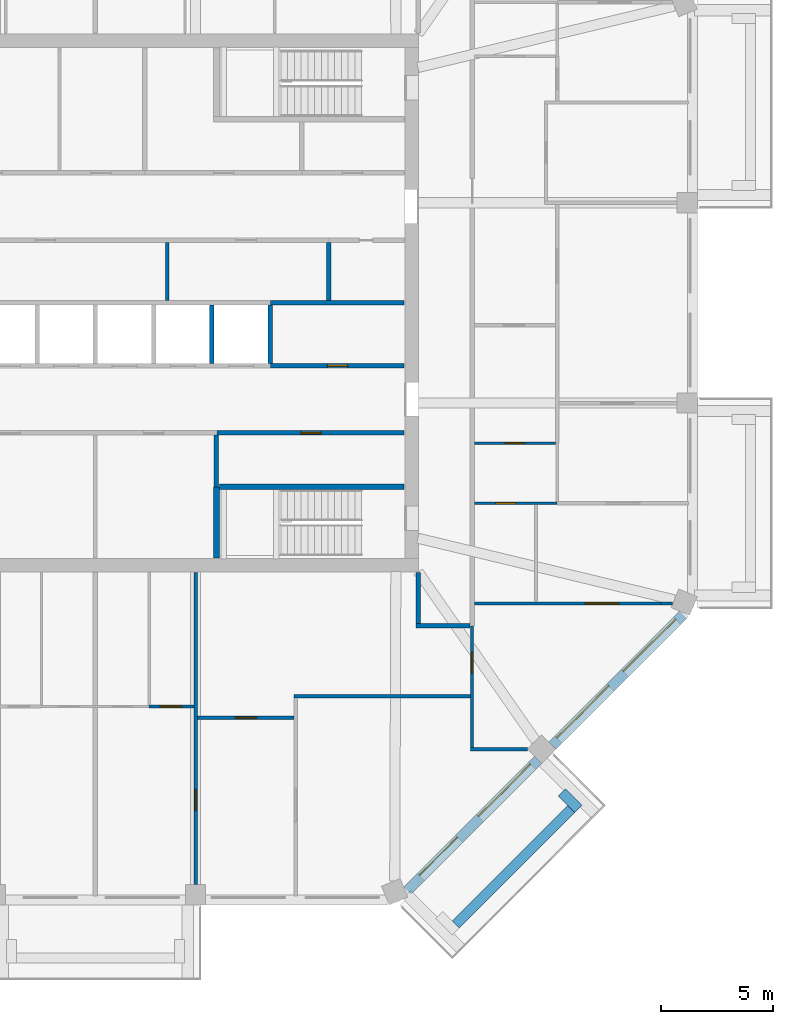
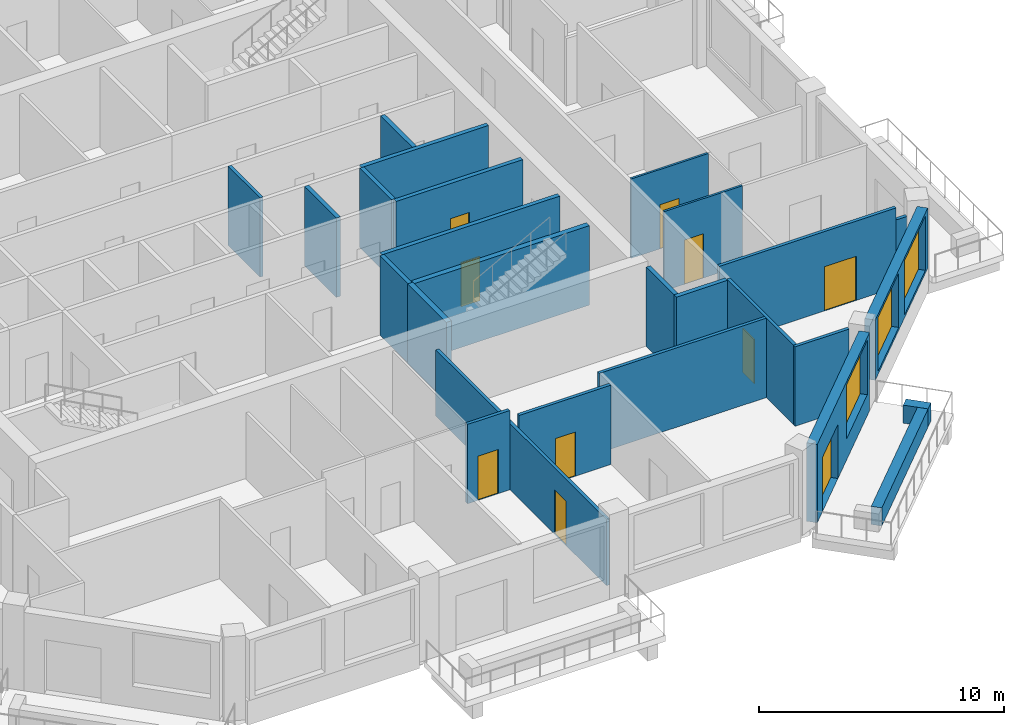
# One storey, part 5 of 12: 26 walls, 10 doors, 3 windows, 13 openings.
"""IFC4 building model written with IfcOpenShell, lengths in metres."""

from ifc_helpers import new_model, si_unit, direction, frame, frame_2d, origin, place, context, subcontext, project, spatial, rectangle, extrude, material, layer, layer_set, type_object, element, fill, save


model = new_model("IFC4")

# Units and contexts
model_context = context("Model", 3, precision=1e-05, world=origin(), true_north=direction((0.0, 1.0)))
body_context = subcontext(model_context, "Body", "Model", "MODEL_VIEW")
ifc_project = project(units=[si_unit("LENGTHUNIT", "METRE"), si_unit("AREAUNIT", "SQUARE_METRE"), si_unit("VOLUMEUNIT", "CUBIC_METRE"), si_unit("PLANEANGLEUNIT", "RADIAN"), si_unit("MASSUNIT", "GRAM", prefix="KILO")], contexts=[model_context])

# Site, building, storey
site_placement = place(None, origin())
site = spatial("IfcSite", under=ifc_project, at=site_placement, CompositionType="ELEMENT")
building_placement = place(site_placement, origin())
building = spatial("IfcBuilding", under=site, at=building_placement, Name="Msitu Wima Residences", CompositionType="ELEMENT")
storey_placement = place(building_placement, frame((0.0, 0.0, 243.300048828125)))
storey = spatial("IfcBuildingStorey", under=building, at=storey_placement, Name="L56", CompositionType="ELEMENT", Elevation=243.300048828125)

# Walls
ifc_material_1 = material(Name="Facing brick")
ifc_layer_1 = layer(ifc_material_1, 0.06494140625, Name="Facing brick")
ifc_material_2 = material(Name="Concrete C40/50", Category="concrete")
ifc_layer_2 = layer(ifc_material_2, 0.156005859375, Name="Concrete C40/50")
ifc_material_3 = material(Name="Waterproofing membrane")
ifc_layer_3 = layer(ifc_material_3, 0.00390625, Name="Waterproofing membrane")
ifc_material_4 = material(Name="Planting soil and planting")
ifc_layer_4 = layer(ifc_material_4, 0.22509765625, Name="Planting soil and planting")
ifc_layer_set_1 = layer_set([ifc_layer_1, ifc_layer_2, ifc_layer_3, ifc_layer_4], Name="Concrete C40/50")
wall_type_1 = type_object("IfcWallType", Name="Balcony planter PLANTER PL450", PredefinedType="USERDEFINED", material=ifc_layer_set_1)
wall_1_placement = place(storey_placement, frame((16.0751953125, -27.725830078125, 0.0), z_axis=(0.0, 0.0, 1.0), x_axis=(0.707106781187, 0.707106781187, 0.0)))
element("IfcWall", 1, at=wall_1_placement, inside=storey, type_object=wall_type_1, Name="Balcony planter SE0 L56", ObjectType="PLANTER", PredefinedType="USERDEFINED", context=body_context, shape_type="SweptSolid", body=[
    extrude(rectangle(XDim=7.288330078125, YDim=0.449951171875, at=frame_2d((3.64404296875, 0.0))), origin(), (0.0, 0.0, 1.0), 0.89990234375),
])
wall_2_placement = place(storey_placement, frame((20.804443359375, -21.829833984375, 0.0), z_axis=(0.0, 0.0, 1.0), x_axis=(0.707106781187, -0.707106781187, 0.0)))
element("IfcWall", 2, at=wall_2_placement, inside=storey, type_object=wall_type_1, Name="Balcony planter SE0 L56", ObjectType="PLANTER", PredefinedType="USERDEFINED", context=body_context, shape_type="SweptSolid", body=[
    extrude(rectangle(XDim=1.050048828125, YDim=0.449951171875, at=frame_2d((0.52490234375, 0.0))), origin(), (0.0, 0.0, 1.0), 0.89990234375),
])

# Wall, openings, door, window
ifc_material_5 = material(Name="Brick (red buff mix)", Category="masonry")
ifc_layer_5 = layer(ifc_material_5, 0.449951171875)
ifc_layer_set_2 = layer_set([ifc_layer_5], Name="Brick (red buff mix)")
wall_type_2 = type_object("IfcWallType", Name="Brick infill wall BW450", PredefinedType="SOLIDWALL", material=ifc_layer_set_2)
wall_3_placement = place(storey_placement, frame((13.909423828125, -26.214599609375, 0.0), z_axis=(0.0, 0.0, 1.0), x_axis=(0.707106781187, 0.707106781187, 0.0)))
wall_3 = element("IfcWall", 3, at=wall_3_placement, inside=storey, type_object=wall_type_2, Name="Brick infill wall L56 SE0", PredefinedType="SOLIDWALL", context=body_context, shape_type="SweptSolid", body=[
    extrude(rectangle(XDim=8.251220703125, YDim=0.449951171875, at=frame_2d((4.12548828125, 0.0))), origin(), (0.0, 0.0, 1.0), 3.89990234375),
])
opening_1_placement = place(wall_3_placement, frame((0.86279296875, 0.0, 0.0)))
opening_1 = element("IfcOpeningElement", 4, at=opening_1_placement, cuts=wall_3, Name="Opening D55-56.007", PredefinedType="OPENING", context=body_context, shape_type="SweptSolid", body=[
    extrude(rectangle(XDim=2.39990234375, YDim=2.699951171875, at=frame_2d((1.199951171875, 1.35009765625))), frame((0.0, 0.23486328125, 0.0), z_axis=(0.0, -1.0, 0.0), x_axis=(1.0, 0.0, 0.0)), (0.0, 0.0, 1.0), 0.469970703125),
])
opening_2_placement = place(wall_3_placement, frame((4.57568359375, 0.0, 1.050048828125)))
opening_2 = element("IfcOpeningElement", 5, at=opening_2_placement, cuts=wall_3, Name="Opening W55-56.021", PredefinedType="OPENING", context=body_context, shape_type="SweptSolid", body=[
    extrude(rectangle(XDim=3.300048828125, YDim=2.699951171875, at=frame_2d((1.64990234375, 1.35009765625))), frame((0.0, 0.23486328125, 0.0), z_axis=(0.0, -1.0, 0.0), x_axis=(1.0, 0.0, 0.0)), (0.0, 0.0, 1.0), 0.469970703125),
])
ifc_material_6 = material(Name="Anodised aluminium, bronze finish, clear low-emissivity double glazing", Category="aluminium")
door_type_1 = type_object("IfcDoorType", Name="Balcony door D2400x2700", OperationType="SLIDING_TO_LEFT", PredefinedType="DOOR", material=ifc_material_6)
door_1_placement = place(opening_1_placement, origin())
door_1 = element("IfcDoor", 6, at=door_1_placement, inside=storey, type_object=door_type_1, Name="Balcony door L56 SE0", OperationType="SINGLE_SWING_LEFT", OverallHeight=2.699951171875, OverallWidth=2.39990234375, PredefinedType="DOOR", context=body_context, shape_type="SweptSolid", body=[
    extrude(rectangle(XDim=2.39990234375, YDim=2.699951171875, at=frame_2d((1.199951171875, 1.35009765625))), frame((0.0, 0.1298828125, 0.0), z_axis=(0.0, -1.0, 0.0), x_axis=(1.0, 0.0, 0.0)), (0.0, 0.0, 1.0), 0.050048828125),
])
fill(opening_1, door_1)
window_type = type_object("IfcWindowType", Name="Window W3300x2700", PartitioningType="DOUBLE_PANEL_VERTICAL", PredefinedType="WINDOW", material=ifc_material_6)
window_1_placement = place(opening_2_placement, origin())
window_1 = element("IfcWindow", 7, at=window_1_placement, inside=storey, type_object=window_type, Name="Window L56 SE0.2", OverallHeight=2.699951171875, OverallWidth=3.300048828125, PartitioningType="SINGLE_PANEL", PredefinedType="WINDOW", context=body_context, shape_type="SweptSolid", body=[
    extrude(rectangle(XDim=3.300048828125, YDim=2.699951171875, at=frame_2d((1.64990234375, 1.35009765625))), frame((0.0, 0.135009765625, 0.0), z_axis=(0.0, -1.0, 0.0), x_axis=(1.0, 0.0, 0.0)), (0.0, 0.0, 1.0), 0.06005859375),
])
fill(opening_2, window_1)

# Wall, openings, windows
wall_4_placement = place(storey_placement, frame((20.380126953125, -19.743896484375, 0.89990234375), z_axis=(0.0, 0.0, 1.0), x_axis=(0.707106781187, 0.707106781187, 0.0)))
wall_4 = element("IfcWall", 8, at=wall_4_placement, inside=storey, type_object=wall_type_2, Name="Brick infill wall L56 SE1", PredefinedType="SOLIDWALL", context=body_context, shape_type="SweptSolid", body=[
    extrude(rectangle(XDim=8.251220703125, YDim=0.449951171875, at=frame_2d((4.12548828125, 0.0))), origin(), (0.0, 0.0, 1.0), 3.0),
])
opening_3_placement = place(wall_4_placement, frame((0.37548828125, 0.0, 0.14990234375)))
opening_3 = element("IfcOpeningElement", 9, at=opening_3_placement, cuts=wall_4, Name="Opening W55-56.022", PredefinedType="OPENING", context=body_context, shape_type="SweptSolid", body=[
    extrude(rectangle(XDim=3.300048828125, YDim=2.699951171875, at=frame_2d((1.64990234375, 1.35009765625))), frame((0.0, 0.23486328125, 0.0), z_axis=(0.0, -1.0, 0.0), x_axis=(1.0, 0.0, 0.0)), (0.0, 0.0, 1.0), 0.469970703125),
])
opening_4_placement = place(wall_4_placement, frame((4.57568359375, 0.0, 0.14990234375)))
opening_4 = element("IfcOpeningElement", 10, at=opening_4_placement, cuts=wall_4, Name="Opening W55-56.023", PredefinedType="OPENING", context=body_context, shape_type="SweptSolid", body=[
    extrude(rectangle(XDim=3.300048828125, YDim=2.699951171875, at=frame_2d((1.64990234375, 1.35009765625))), frame((0.0, 0.23486328125, 0.0), z_axis=(0.0, -1.0, 0.0), x_axis=(1.0, 0.0, 0.0)), (0.0, 0.0, 1.0), 0.469970703125),
])
window_2_placement = place(opening_3_placement, origin())
window_2 = element("IfcWindow", 11, at=window_2_placement, inside=storey, type_object=window_type, Name="Window L56 SE1.1", OverallHeight=2.699951171875, OverallWidth=3.300048828125, PartitioningType="SINGLE_PANEL", PredefinedType="WINDOW", context=body_context, shape_type="SweptSolid", body=[
    extrude(rectangle(XDim=3.300048828125, YDim=2.699951171875, at=frame_2d((1.64990234375, 1.35009765625))), frame((0.0, 0.135009765625, 0.0), z_axis=(0.0, -1.0, 0.0), x_axis=(1.0, 0.0, 0.0)), (0.0, 0.0, 1.0), 0.06005859375),
])
fill(opening_3, window_2)
window_3_placement = place(opening_4_placement, origin())
window_3 = element("IfcWindow", 12, at=window_3_placement, inside=storey, type_object=window_type, Name="Window L56 SE1.2", OverallHeight=2.699951171875, OverallWidth=3.300048828125, PartitioningType="SINGLE_PANEL", PredefinedType="WINDOW", context=body_context, shape_type="SweptSolid", body=[
    extrude(rectangle(XDim=3.300048828125, YDim=2.699951171875, at=frame_2d((1.64990234375, 1.35009765625))), frame((0.0, 0.135009765625, 0.0), z_axis=(0.0, -1.0, 0.0), x_axis=(1.0, 0.0, 0.0)), (0.0, 0.0, 1.0), 0.06005859375),
])
fill(opening_4, window_3)

# Walls
ifc_material_7 = material(Name="Plaster")
ifc_layer_6 = layer(ifc_material_7, 0.011962890625, Name="Plaster")
ifc_material_8 = material(Name="Concrete blockwork", Category="masonry")
ifc_layer_7 = layer(ifc_material_8, 0.176025390625, Name="Concrete blockwork")
ifc_layer_8 = layer(ifc_material_7, 0.011962890625, Name="Plaster")
ifc_layer_set_3 = layer_set([ifc_layer_6, ifc_layer_7, ifc_layer_8], Name="Concrete blockwork")
wall_type_3 = type_object("IfcWallType", Name="Corridor wall FW200", PredefinedType="PARTITIONING", material=ifc_layer_set_3)
wall_5_placement = place(storey_placement, frame((14.39990234375, -14.300048828125, 0.0), z_axis=(0.0, 0.0, 1.0), x_axis=(0.0, 1.0, 0.0)))
element("IfcWall", 13, at=wall_5_placement, inside=storey, type_object=wall_type_3, Name="Corridor wall", PredefinedType="PARTITIONING", context=body_context, shape_type="SweptSolid", body=[
    extrude(rectangle(XDim=2.27001953125, YDim=0.199951171875, at=frame_2d((1.135009765625, 0.0))), origin(), (0.0, 0.0, 1.0), 3.949951171875),
])
wall_6_placement = place(storey_placement, frame((14.300048828125, -14.39990234375, 0.0), z_axis=(0.0, 0.0, 1.0), x_axis=(1.0, 0.0, 0.0)))
element("IfcWall", 14, at=wall_6_placement, inside=storey, type_object=wall_type_3, Name="Corridor wall", PredefinedType="PARTITIONING", context=body_context, shape_type="SweptSolid", body=[
    extrude(rectangle(XDim=2.39990234375, YDim=0.199951171875, at=frame_2d((1.199951171875, 0.0))), origin(), (0.0, 0.0, 1.0), 3.949951171875),
])

# Wall, opening, door
ifc_layer_9 = layer(ifc_material_7, 0.011962890625, Name="Plaster")
ifc_layer_10 = layer(ifc_material_8, 0.1259765625, Name="Concrete blockwork")
ifc_layer_11 = layer(ifc_material_7, 0.011962890625, Name="Plaster")
ifc_layer_set_4 = layer_set([ifc_layer_9, ifc_layer_10, ifc_layer_11], Name="Concrete blockwork")
wall_type_4 = type_object("IfcWallType", Name="Partition PW150", PredefinedType="PARTITIONING", material=ifc_layer_set_4)
wall_7_placement = place(storey_placement, frame((2.39990234375, -18.0, 0.0), z_axis=(0.0, 0.0, 1.0), x_axis=(1.0, 0.0, 0.0)))
wall_7 = element("IfcWall", 15, at=wall_7_placement, inside=storey, type_object=wall_type_4, Name="Partition", PredefinedType="PARTITIONING", context=body_context, shape_type="SweptSolid", body=[
    extrude(rectangle(XDim=1.99365234375, YDim=0.14990234375, at=frame_2d((0.996826171875, 0.0))), origin(), (0.0, 0.0, 1.0), 3.949951171875),
])
opening_5_placement = place(wall_7_placement, frame((0.5, 0.0, 0.0)))
opening_5 = element("IfcOpeningElement", 16, at=opening_5_placement, cuts=wall_7, Name="Opening D55-56.027", PredefinedType="OPENING", context=body_context, shape_type="SweptSolid", body=[
    extrude(rectangle(XDim=0.949951171875, YDim=2.199951171875, at=frame_2d((0.47509765625, 1.10009765625))), frame((0.0, 0.0849609375, 0.0), z_axis=(0.0, -1.0, 0.0), x_axis=(1.0, 0.0, 0.0)), (0.0, 0.0, 1.0), 0.169921875),
])
ifc_material_9 = material(Name="Timber flush door", Category="wood")
door_type_2 = type_object("IfcDoorType", Name="Room door D12 950x2200", OperationType="SINGLE_SWING_LEFT", PredefinedType="DOOR", material=ifc_material_9)
door_2_placement = place(opening_5_placement, origin())
door_2 = element("IfcDoor", 17, at=door_2_placement, inside=storey, type_object=door_type_2, Name="Room door", OperationType="SINGLE_SWING_LEFT", OverallHeight=2.199951171875, OverallWidth=0.949951171875, PredefinedType="DOOR", context=body_context, shape_type="SweptSolid", body=[
    extrude(rectangle(XDim=0.949951171875, YDim=2.199951171875, at=frame_2d((0.47509765625, 1.10009765625))), frame((0.0, 0.02490234375, 0.0), z_axis=(0.0, -1.0, 0.0), x_axis=(1.0, 0.0, 0.0)), (0.0, 0.0, 1.0), 0.050048828125),
])
fill(opening_5, door_2)

# Wall
wall_8_placement = place(storey_placement, frame((3.199951171875, 0.10009765625, 0.0), z_axis=(0.0, 0.0, 1.0), x_axis=(0.0, 1.0, 0.0)))
element("IfcWall", 18, at=wall_8_placement, inside=storey, type_object=wall_type_4, Name="Partition", PredefinedType="PARTITIONING", context=body_context, shape_type="SweptSolid", body=[
    extrude(rectangle(XDim=2.599853515625, YDim=0.14990234375, at=frame_2d((1.2998046875, 0.0))), origin(), (0.0, 0.0, 1.0), 3.949951171875),
])

# Wall, opening, door
wall_9_placement = place(storey_placement, frame((4.46875, -25.949951171875, 0.0), z_axis=(0.0, 0.0, 1.0), x_axis=(0.0, 1.0, 0.0)))
wall_9 = element("IfcWall", 19, at=wall_9_placement, inside=storey, type_object=wall_type_4, Name="Partition", PredefinedType="PARTITIONING", context=body_context, shape_type="SweptSolid", body=[
    extrude(rectangle(XDim=13.919921875, YDim=0.14990234375, at=frame_2d((6.9599609375, 0.0))), origin(), (0.0, 0.0, 1.0), 3.300048828125),
])
opening_6_placement = place(wall_9_placement, frame((3.300048828125, 0.0, 0.0)))
opening_6 = element("IfcOpeningElement", 20, at=opening_6_placement, cuts=wall_9, Name="Opening D55-56.025", PredefinedType="OPENING", context=body_context, shape_type="SweptSolid", body=[
    extrude(rectangle(XDim=0.949951171875, YDim=2.199951171875, at=frame_2d((0.47509765625, 1.10009765625))), frame((0.0, 0.0849609375, 0.0), z_axis=(0.0, -1.0, 0.0), x_axis=(1.0, 0.0, 0.0)), (0.0, 0.0, 1.0), 0.169921875),
])
door_3_placement = place(opening_6_placement, origin())
door_3 = element("IfcDoor", 21, at=door_3_placement, inside=storey, type_object=door_type_2, Name="Room door", OperationType="SINGLE_SWING_LEFT", OverallHeight=2.199951171875, OverallWidth=0.949951171875, PredefinedType="DOOR", context=body_context, shape_type="SweptSolid", body=[
    extrude(rectangle(XDim=0.949951171875, YDim=2.199951171875, at=frame_2d((0.47509765625, 1.10009765625))), frame((0.0, 0.02490234375, 0.0), z_axis=(0.0, -1.0, 0.0), x_axis=(1.0, 0.0, 0.0)), (0.0, 0.0, 1.0), 0.050048828125),
])
fill(opening_6, door_3)

wall_10_placement = place(storey_placement, frame((4.543701171875, -18.5, 0.0), z_axis=(0.0, 0.0, 1.0), x_axis=(1.0, 0.0, 0.0)))
wall_10 = element("IfcWall", 22, at=wall_10_placement, inside=storey, type_object=wall_type_4, Name="Partition", PredefinedType="PARTITIONING", context=body_context, shape_type="SweptSolid", body=[
    extrude(rectangle(XDim=4.318603515625, YDim=0.14990234375, at=frame_2d((2.1591796875, 0.0))), origin(), (0.0, 0.0, 1.0), 3.949951171875),
])
opening_7_placement = place(wall_10_placement, frame((1.699951171875, 0.0, 0.0)))
opening_7 = element("IfcOpeningElement", 23, at=opening_7_placement, cuts=wall_10, Name="Opening D55-56.021", PredefinedType="OPENING", context=body_context, shape_type="SweptSolid", body=[
    extrude(rectangle(XDim=0.949951171875, YDim=2.199951171875, at=frame_2d((0.47509765625, 1.10009765625))), frame((0.0, 0.0849609375, 0.0), z_axis=(0.0, -1.0, 0.0), x_axis=(1.0, 0.0, 0.0)), (0.0, 0.0, 1.0), 0.169921875),
])
door_4_placement = place(opening_7_placement, origin())
door_4 = element("IfcDoor", 24, at=door_4_placement, inside=storey, type_object=door_type_2, Name="Room door", OperationType="SINGLE_SWING_RIGHT", OverallHeight=2.199951171875, OverallWidth=0.949951171875, PredefinedType="DOOR", context=body_context, shape_type="SweptSolid", body=[
    extrude(rectangle(XDim=0.949951171875, YDim=2.199951171875, at=frame_2d((0.47509765625, 1.10009765625))), frame((0.0, 0.02490234375, 0.0), z_axis=(0.0, -1.0, 0.0), x_axis=(1.0, 0.0, 0.0)), (0.0, 0.0, 1.0), 0.050048828125),
])
fill(opening_7, door_4)

# Wall
wall_11_placement = place(storey_placement, frame((8.8623046875, -17.550048828125, 0.0), z_axis=(0.0, 0.0, 1.0), x_axis=(1.0, 0.0, 0.0)))
element("IfcWall", 25, at=wall_11_placement, inside=storey, type_object=wall_type_4, Name="Partition", PredefinedType="PARTITIONING", context=body_context, shape_type="SweptSolid", body=[
    extrude(rectangle(XDim=7.86279296875, YDim=0.14990234375, at=frame_2d((3.931396484375, 0.0))), origin(), (0.0, 0.0, 1.0), 3.949951171875),
])

# Wall, opening, door
wall_12_placement = place(storey_placement, frame((16.800048828125, -19.827880859375, 0.0), z_axis=(0.0, 0.0, 1.0), x_axis=(0.0, 1.0, 0.0)))
wall_12 = element("IfcWall", 26, at=wall_12_placement, inside=storey, type_object=wall_type_4, Name="Partition", PredefinedType="PARTITIONING", context=body_context, shape_type="SweptSolid", body=[
    extrude(rectangle(XDim=5.427978515625, YDim=0.14990234375, at=frame_2d((2.7138671875, 0.0))), origin(), (0.0, 0.0, 1.0), 3.949951171875),
])
opening_8_placement = place(wall_12_placement, frame((3.300048828125, 0.0, 0.0)))
opening_8 = element("IfcOpeningElement", 27, at=opening_8_placement, cuts=wall_12, Name="Opening D55-56.020", PredefinedType="OPENING", context=body_context, shape_type="SweptSolid", body=[
    extrude(rectangle(XDim=0.949951171875, YDim=2.199951171875, at=frame_2d((0.47509765625, 1.10009765625))), frame((0.0, 0.0849609375, 0.0), z_axis=(0.0, -1.0, 0.0), x_axis=(1.0, 0.0, 0.0)), (0.0, 0.0, 1.0), 0.169921875),
])
door_5_placement = place(opening_8_placement, origin())
door_5 = element("IfcDoor", 28, at=door_5_placement, inside=storey, type_object=door_type_2, Name="Room door", OperationType="SINGLE_SWING_LEFT", OverallHeight=2.199951171875, OverallWidth=0.949951171875, PredefinedType="DOOR", context=body_context, shape_type="SweptSolid", body=[
    extrude(rectangle(XDim=0.949951171875, YDim=2.199951171875, at=frame_2d((0.47509765625, 1.10009765625))), frame((0.0, 0.02490234375, 0.0), z_axis=(0.0, -1.0, 0.0), x_axis=(1.0, 0.0, 0.0)), (0.0, 0.0, 1.0), 0.050048828125),
])
fill(opening_8, door_5)

# Wall
wall_13_placement = place(storey_placement, frame((16.72509765625, -19.90283203125, 0.0), z_axis=(0.0, 0.0, 1.0), x_axis=(1.0, 0.0, 0.0)))
element("IfcWall", 29, at=wall_13_placement, inside=storey, type_object=wall_type_4, Name="Partition", PredefinedType="PARTITIONING", context=body_context, shape_type="SweptSolid", body=[
    extrude(rectangle(XDim=2.54150390625, YDim=0.14990234375, at=frame_2d((1.270751953125, 0.0))), origin(), (0.0, 0.0, 1.0), 3.949951171875),
])

# Wall, opening, door
wall_14_placement = place(storey_placement, frame((16.89990234375, -13.406005859375, 0.0), z_axis=(0.0, 0.0, 1.0), x_axis=(1.0, 0.0, 0.0)))
wall_14 = element("IfcWall", 30, at=wall_14_placement, inside=storey, type_object=wall_type_4, Name="Partition", PredefinedType="PARTITIONING", context=body_context, shape_type="SweptSolid", body=[
    extrude(rectangle(XDim=8.32421875, YDim=0.14990234375, at=frame_2d((4.162109375, 0.0))), origin(), (0.0, 0.0, 1.0), 3.949951171875),
])
opening_9_placement = place(wall_14_placement, frame((4.949951171875, 0.0, 0.0)))
opening_9 = element("IfcOpeningElement", 31, at=opening_9_placement, cuts=wall_14, Name="Opening D55-56.019", PredefinedType="OPENING", context=body_context, shape_type="SweptSolid", body=[
    extrude(rectangle(XDim=1.5, YDim=2.199951171875, at=frame_2d((0.75, 1.10009765625))), frame((0.0, 0.0849609375, 0.0), z_axis=(0.0, -1.0, 0.0), x_axis=(1.0, 0.0, 0.0)), (0.0, 0.0, 1.0), 0.169921875),
])
ifc_material_10 = material(Name="Timber double door", Category="wood")
door_type_3 = type_object("IfcDoorType", Name="Double door D04 1500x2200", OperationType="DOUBLE_DOOR_SINGLE_SWING", PredefinedType="DOOR", material=ifc_material_10)
door_6_placement = place(opening_9_placement, origin())
door_6 = element("IfcDoor", 32, at=door_6_placement, inside=storey, type_object=door_type_3, Name="Double door", OperationType="DOUBLE_DOOR_SINGLE_SWING", OverallHeight=2.199951171875, OverallWidth=1.5, PredefinedType="DOOR", context=body_context, shape_type="SweptSolid", body=[
    extrude(rectangle(XDim=1.5, YDim=2.199951171875, at=frame_2d((0.75, 1.10009765625))), frame((0.0, 0.02490234375, 0.0), z_axis=(0.0, -1.0, 0.0), x_axis=(1.0, 0.0, 0.0)), (0.0, 0.0, 1.0), 0.050048828125),
])
fill(opening_9, door_6)

# Wall
wall_15_placement = place(storey_placement, frame((25.22412109375, -13.406005859375, 0.0), z_axis=(0.0, 0.0, 1.0), x_axis=(1.0, 0.0, 0.0)))
element("IfcWall", 33, at=wall_15_placement, inside=storey, type_object=wall_type_4, Name="Partition", PredefinedType="PARTITIONING", context=body_context, shape_type="SweptSolid", body=[
    extrude(rectangle(XDim=0.507080078125, YDim=0.14990234375, at=frame_2d((0.25341796875, 0.0))), origin(), (0.0, 0.0, 1.0), 3.349853515625),
])

# Wall, opening, door
ifc_layer_12 = layer(ifc_material_7, 0.011962890625, Name="Plaster")
ifc_material_11 = material(Name="Reinforced concrete blockwork", Category="masonry")
ifc_layer_13 = layer(ifc_material_11, 0.176025390625, Name="Reinforced concrete blockwork")
ifc_layer_14 = layer(ifc_material_7, 0.011962890625, Name="Plaster")
ifc_layer_set_5 = layer_set([ifc_layer_12, ifc_layer_13, ifc_layer_14], Name="Reinforced concrete blockwork")
wall_type_5 = type_object("IfcWallType", Name="Plant and riser wall PL200", PredefinedType="PARTITIONING", material=ifc_layer_set_5)
wall_16_placement = place(storey_placement, frame((5.419921875, -5.800048828125, 0.0), z_axis=(0.0, 0.0, 1.0), x_axis=(1.0, 0.0, 0.0)))
wall_16 = element("IfcWall", 34, at=wall_16_placement, inside=storey, type_object=wall_type_5, Name="Plant and riser wall", PredefinedType="PARTITIONING", context=body_context, shape_type="SweptSolid", body=[
    extrude(rectangle(XDim=8.35009765625, YDim=0.199951171875, at=frame_2d((4.175048828125, 0.0))), origin(), (0.0, 0.0, 1.0), 3.949951171875),
])
opening_10_placement = place(wall_16_placement, frame((3.75, 0.0, 0.0)))
opening_10 = element("IfcOpeningElement", 35, at=opening_10_placement, cuts=wall_16, Name="Opening D55-56.070", PredefinedType="OPENING", context=body_context, shape_type="SweptSolid", body=[
    extrude(rectangle(XDim=0.89990234375, YDim=2.199951171875, at=frame_2d((0.449951171875, 1.10009765625))), frame((0.0, 0.10986328125, 0.0), z_axis=(0.0, -1.0, 0.0), x_axis=(1.0, 0.0, 0.0)), (0.0, 0.0, 1.0), 0.219970703125),
])
door_type_4 = type_object("IfcDoorType", Name="Service door D05 900x2200", OperationType="SINGLE_SWING_LEFT", PredefinedType="DOOR", material=ifc_material_9)
door_7_placement = place(opening_10_placement, origin())
door_7 = element("IfcDoor", 36, at=door_7_placement, inside=storey, type_object=door_type_4, Name="Service door", OperationType="SINGLE_SWING_LEFT", OverallHeight=2.199951171875, OverallWidth=0.89990234375, PredefinedType="DOOR", context=body_context, shape_type="SweptSolid", body=[
    extrude(rectangle(XDim=0.89990234375, YDim=2.199951171875, at=frame_2d((0.449951171875, 1.10009765625))), frame((0.0, 0.02490234375, 0.0), z_axis=(0.0, -1.0, 0.0), x_axis=(1.0, 0.0, 0.0)), (0.0, 0.0, 1.0), 0.050048828125),
])
fill(opening_10, door_7)

# Wall
wall_17_placement = place(storey_placement, frame((5.39990234375, -8.199951171875, 0.0), z_axis=(0.0, 0.0, 1.0), x_axis=(0.0, 1.0, 0.0)))
element("IfcWall", 37, at=wall_17_placement, inside=storey, type_object=wall_type_5, Name="Plant and riser wall", PredefinedType="PARTITIONING", context=body_context, shape_type="SweptSolid", body=[
    extrude(rectangle(XDim=2.300048828125, YDim=0.199951171875, at=frame_2d((1.14990234375, 0.0))), origin(), (0.0, 0.0, 1.0), 3.949951171875),
])

# Wall, opening, door
wall_18_placement = place(storey_placement, frame((7.800048828125, -2.800048828125, 0.0), z_axis=(0.0, 0.0, 1.0), x_axis=(1.0, 0.0, 0.0)))
wall_18 = element("IfcWall", 38, at=wall_18_placement, inside=storey, type_object=wall_type_5, Name="Plant and riser wall", PredefinedType="PARTITIONING", context=body_context, shape_type="SweptSolid", body=[
    extrude(rectangle(XDim=5.969970703125, YDim=0.199951171875, at=frame_2d((2.98486328125, 0.0))), origin(), (0.0, 0.0, 1.0), 3.949951171875),
])
opening_11_placement = place(wall_18_placement, frame((2.550048828125, 0.0, 0.0)))
opening_11 = element("IfcOpeningElement", 39, at=opening_11_placement, cuts=wall_18, Name="Opening D55-56.059", PredefinedType="OPENING", context=body_context, shape_type="SweptSolid", body=[
    extrude(rectangle(XDim=0.89990234375, YDim=2.199951171875, at=frame_2d((0.449951171875, 1.10009765625))), frame((0.0, 0.10986328125, 0.0), z_axis=(0.0, -1.0, 0.0), x_axis=(1.0, 0.0, 0.0)), (0.0, 0.0, 1.0), 0.219970703125),
])
door_8_placement = place(opening_11_placement, origin())
door_8 = element("IfcDoor", 40, at=door_8_placement, inside=storey, type_object=door_type_4, Name="Service door", OperationType="SINGLE_SWING_LEFT", OverallHeight=2.199951171875, OverallWidth=0.89990234375, PredefinedType="DOOR", context=body_context, shape_type="SweptSolid", body=[
    extrude(rectangle(XDim=0.89990234375, YDim=2.199951171875, at=frame_2d((0.449951171875, 1.10009765625))), frame((0.0, 0.02490234375, 0.0), z_axis=(0.0, -1.0, 0.0), x_axis=(1.0, 0.0, 0.0)), (0.0, 0.0, 1.0), 0.050048828125),
])
fill(opening_11, door_8)

# Walls
wall_19_placement = place(storey_placement, frame((7.800048828125, 0.0, 0.0), z_axis=(0.0, 0.0, 1.0), x_axis=(1.0, 0.0, 0.0)))
element("IfcWall", 41, at=wall_19_placement, inside=storey, type_object=wall_type_5, Name="Plant and riser wall", PredefinedType="PARTITIONING", context=body_context, shape_type="SweptSolid", body=[
    extrude(rectangle(XDim=5.969970703125, YDim=0.199951171875, at=frame_2d((2.98486328125, 0.0))), origin(), (0.0, 0.0, 1.0), 3.949951171875),
])
wall_20_placement = place(storey_placement, frame((10.39990234375, 0.10009765625, 0.0), z_axis=(0.0, 0.0, 1.0), x_axis=(0.0, 1.0, 0.0)))
element("IfcWall", 42, at=wall_20_placement, inside=storey, type_object=wall_type_5, Name="Plant and riser wall", PredefinedType="PARTITIONING", context=body_context, shape_type="SweptSolid", body=[
    extrude(rectangle(XDim=2.599853515625, YDim=0.199951171875, at=frame_2d((1.2998046875, 0.0))), origin(), (0.0, 0.0, 1.0), 3.949951171875),
])
ifc_material_12 = material(Name="Fire-rated board")
ifc_layer_15 = layer(ifc_material_12, 0.02490234375, Name="Fire-rated board")
ifc_material_13 = material(Name="Light-gauge stud framing with mineral wool")
ifc_layer_16 = layer(ifc_material_13, 0.14990234375, Name="Light-gauge stud framing with mineral wool")
ifc_layer_17 = layer(ifc_material_12, 0.02490234375, Name="Fire-rated board")
ifc_layer_set_6 = layer_set([ifc_layer_15, ifc_layer_16, ifc_layer_17], Name="Light-gauge stud framing with mineral wool")
wall_type_6 = type_object("IfcWallType", Name="Shaft wall SH200", PredefinedType="PARTITIONING", material=ifc_layer_set_6)
for number, where, z_axis, x_axis, name in (
    (43, (5.199951171875, -2.699951171875, 0.0), (0.0, 0.0, 1.0), (0.0, 1.0, 0.0), "Shaft wall"),
    (44, (7.800048828125, -2.699951171875, 0.0), (0.0, 0.0, 1.0), (0.0, 1.0, 0.0), "Shaft wall"),
):
    element("IfcWall", number, at=place(storey_placement, frame(where, z_axis=z_axis, x_axis=x_axis)), inside=storey, type_object=wall_type_6, Name=name, PredefinedType="PARTITIONING", context=body_context, shape_type="SweptSolid", body=[
        extrude(rectangle(XDim=2.599853515625, YDim=0.199951171875, at=frame_2d((1.2998046875, 0.0))), origin(), (0.0, 0.0, 1.0), 3.949951171875),
    ])
ifc_material_14 = material(Name="Concrete C50/60", Category="concrete")
ifc_layer_18 = layer(ifc_material_14, 0.25)
ifc_layer_set_7 = layer_set([ifc_layer_18], Name="Concrete C50/60")
wall_type_7 = type_object("IfcWallType", Name="Stair enclosure wall SW250", PredefinedType="SHEAR", material=ifc_layer_set_7)
wall_21_placement = place(storey_placement, frame((5.39990234375, -11.3701171875, 0.0), z_axis=(0.0, 0.0, 1.0), x_axis=(0.0, 1.0, 0.0)))
element("IfcWall", 45, at=wall_21_placement, inside=storey, type_object=wall_type_7, Name="Stair enclosure wall", PredefinedType="SHEAR", context=body_context, shape_type="SweptSolid", body=[
    extrude(rectangle(XDim=3.170166015625, YDim=0.25, at=frame_2d((1.5849609375, 0.0))), origin(), (0.0, 0.0, 1.0), 3.949951171875),
])
wall_22_placement = place(storey_placement, frame((5.52490234375, -8.199951171875, 0.0), z_axis=(0.0, 0.0, 1.0), x_axis=(1.0, 0.0, 0.0)))
element("IfcWall", 46, at=wall_22_placement, inside=storey, type_object=wall_type_7, Name="Stair enclosure wall", PredefinedType="SHEAR", context=body_context, shape_type="SweptSolid", body=[
    extrude(rectangle(XDim=8.2451171875, YDim=0.25, at=frame_2d((4.12255859375, 0.0))), origin(), (0.0, 0.0, 1.0), 3.949951171875),
])

# Wall, opening, door
ifc_material_15 = material(Name="Ceramic tiles")
ifc_layer_19 = layer(ifc_material_15, 0.008056640625, Name="Ceramic tiles")
ifc_material_16 = material(Name="Moisture-resistant board")
ifc_layer_20 = layer(ifc_material_16, 0.012451171875, Name="Moisture-resistant board")
ifc_layer_21 = layer(ifc_material_13, 0.06689453125, Name="Light-gauge stud framing with mineral wool")
ifc_layer_22 = layer(ifc_material_16, 0.012451171875, Name="Moisture-resistant board")
ifc_layer_set_8 = layer_set([ifc_layer_19, ifc_layer_20, ifc_layer_21, ifc_layer_22], Name="Light-gauge stud framing with mineral wool")
wall_type_8 = type_object("IfcWallType", Name="Wet wall PW100", PredefinedType="PARTITIONING", material=ifc_layer_set_8)
wall_23_placement = place(storey_placement, frame((16.89990234375, -8.937255859375, 0.0), z_axis=(0.0, 0.0, 1.0), x_axis=(1.0, 0.0, 0.0)))
wall_23 = element("IfcWall", 47, at=wall_23_placement, inside=storey, type_object=wall_type_8, Name="Wet wall", PredefinedType="PARTITIONING", context=body_context, shape_type="SweptSolid", body=[
    extrude(rectangle(XDim=3.68017578125, YDim=0.10009765625, at=frame_2d((1.840087890625, 0.0))), origin(), (0.0, 0.0, 1.0), 3.949951171875),
])
opening_12_placement = place(wall_23_placement, frame((0.949951171875, 0.0, 0.0)))
opening_12 = element("IfcOpeningElement", 48, at=opening_12_placement, cuts=wall_23, Name="Opening D55-56.016", PredefinedType="OPENING", context=body_context, shape_type="SweptSolid", body=[
    extrude(rectangle(XDim=0.89990234375, YDim=2.199951171875, at=frame_2d((0.449951171875, 1.10009765625))), frame((0.0, 0.06005859375, 0.0), z_axis=(0.0, -1.0, 0.0), x_axis=(1.0, 0.0, 0.0)), (0.0, 0.0, 1.0), 0.1201171875),
])
door_9_placement = place(opening_12_placement, origin())
door_9 = element("IfcDoor", 49, at=door_9_placement, inside=storey, type_object=door_type_4, Name="Service door", OperationType="SINGLE_SWING_LEFT", OverallHeight=2.199951171875, OverallWidth=0.89990234375, PredefinedType="DOOR", context=body_context, shape_type="SweptSolid", body=[
    extrude(rectangle(XDim=0.89990234375, YDim=2.199951171875, at=frame_2d((0.449951171875, 1.10009765625))), frame((0.0, 0.02490234375, 0.0), z_axis=(0.0, -1.0, 0.0), x_axis=(1.0, 0.0, 0.0)), (0.0, 0.0, 1.0), 0.050048828125),
])
fill(opening_12, door_9)

wall_24_placement = place(storey_placement, frame((16.89990234375, -6.256103515625, 0.0), z_axis=(0.0, 0.0, 1.0), x_axis=(1.0, 0.0, 0.0)))
wall_24 = element("IfcWall", 50, at=wall_24_placement, inside=storey, type_object=wall_type_8, Name="Wet wall", PredefinedType="PARTITIONING", context=body_context, shape_type="SweptSolid", body=[
    extrude(rectangle(XDim=3.625, YDim=0.10009765625, at=frame_2d((1.8125, 0.0))), origin(), (0.0, 0.0, 1.0), 3.949951171875),
])
opening_13_placement = place(wall_24_placement, frame((1.35009765625, 0.0, 0.0)))
opening_13 = element("IfcOpeningElement", 51, at=opening_13_placement, cuts=wall_24, Name="Opening D55-56.034", PredefinedType="OPENING", context=body_context, shape_type="SweptSolid", body=[
    extrude(rectangle(XDim=0.89990234375, YDim=2.199951171875, at=frame_2d((0.449951171875, 1.10009765625))), frame((0.0, 0.06005859375, 0.0), z_axis=(0.0, -1.0, 0.0), x_axis=(1.0, 0.0, 0.0)), (0.0, 0.0, 1.0), 0.1201171875),
])
door_10_placement = place(opening_13_placement, origin())
door_10 = element("IfcDoor", 52, at=door_10_placement, inside=storey, type_object=door_type_4, Name="Service door", OperationType="SINGLE_SWING_LEFT", OverallHeight=2.199951171875, OverallWidth=0.89990234375, PredefinedType="DOOR", context=body_context, shape_type="SweptSolid", body=[
    extrude(rectangle(XDim=0.89990234375, YDim=2.199951171875, at=frame_2d((0.449951171875, 1.10009765625))), frame((0.0, 0.02490234375, 0.0), z_axis=(0.0, -1.0, 0.0), x_axis=(1.0, 0.0, 0.0)), (0.0, 0.0, 1.0), 0.050048828125),
])
fill(opening_13, door_10)

save(model, "model.ifc")
